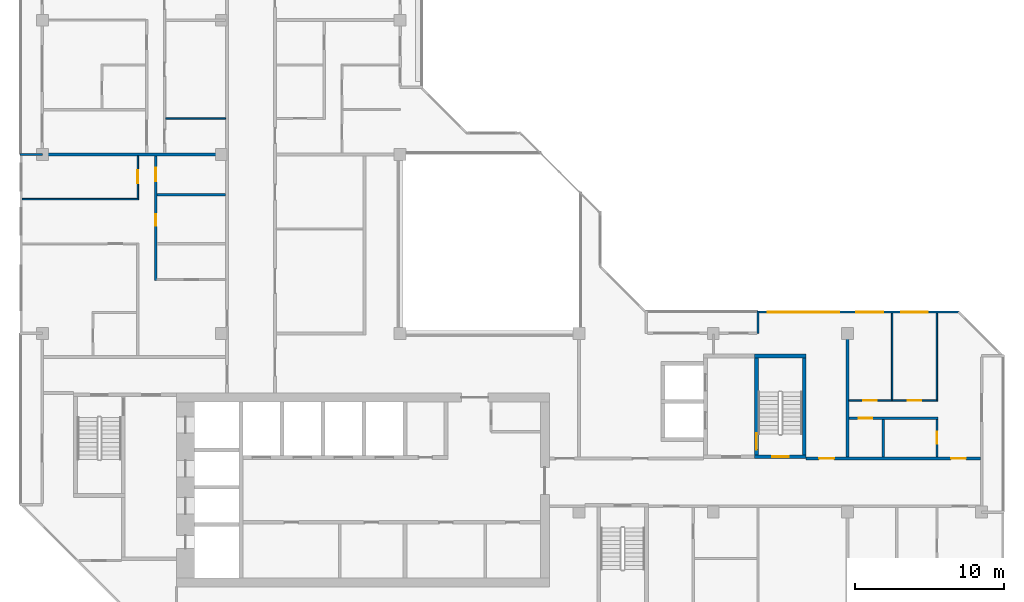
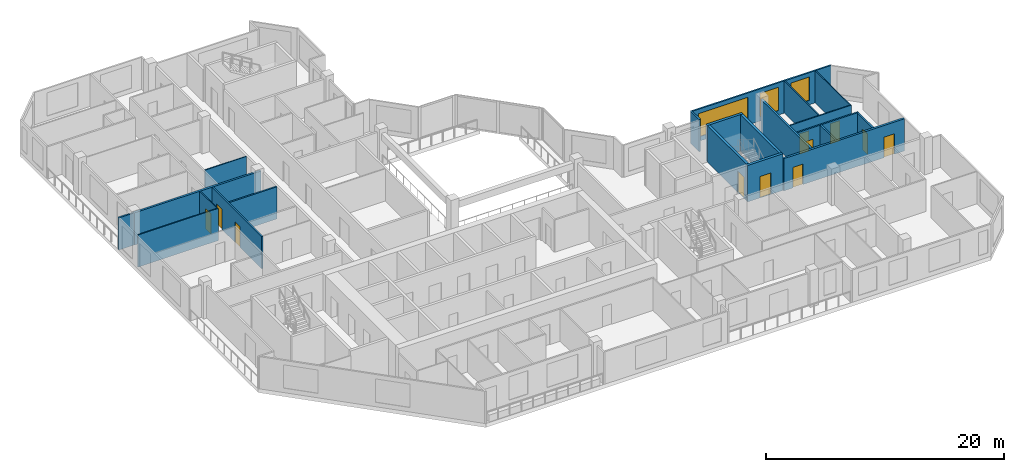
# One storey, part 8 of 13: 21 walls, 11 doors, 3 windows, 14 openings.
"""IFC4 building model written with IfcOpenShell, lengths in metres."""

from ifc_helpers import new_model, si_unit, direction, frame, frame_2d, origin, place, context, subcontext, project, spatial, rectangle, extrude, material, layer, layer_set, type_object, element, fill, save


model = new_model("IFC4")

# Units and contexts
model_context = context("Model", 3, precision=1e-05, world=origin(), true_north=direction((0.0, 1.0)))
body_context = subcontext(model_context, "Body", "Model", "MODEL_VIEW")
ifc_project = project(units=[si_unit("LENGTHUNIT", "METRE"), si_unit("AREAUNIT", "SQUARE_METRE"), si_unit("VOLUMEUNIT", "CUBIC_METRE"), si_unit("PLANEANGLEUNIT", "RADIAN"), si_unit("MASSUNIT", "GRAM", prefix="KILO")], contexts=[model_context])

# Site, building, storey
site_placement = place(None, origin())
site = spatial("IfcSite", under=ifc_project, at=site_placement, CompositionType="ELEMENT")
building_placement = place(site_placement, origin())
building = spatial("IfcBuilding", under=site, at=building_placement, Name="Chenar Terraces", CompositionType="ELEMENT")
storey_placement = place(building_placement, frame((0.0, 0.0, 318.39990234375)))
storey = spatial("IfcBuildingStorey", under=building, at=storey_placement, Name="L75", CompositionType="ELEMENT", Elevation=318.39990234375)

# Wall, opening, door
ifc_material_1 = material(Name="Concrete C50/60", Category="concrete")
ifc_layer_1 = layer(ifc_material_1, 0.25)
ifc_layer_set_1 = layer_set([ifc_layer_1], Name="Concrete C50/60")
wall_type_1 = type_object("IfcWallType", Name="Core wall 250 Concrete C50/60", PredefinedType="SHEAR", material=ifc_layer_set_1)
wall_1_placement = place(storey_placement, frame((47.77490234375, 15.72509765625, 0.0), z_axis=(0.0, 0.0, 1.0), x_axis=(1.0, 0.0, 0.0)))
wall_1 = element("IfcWall", 1, at=wall_1_placement, inside=storey, type_object=wall_type_1, Name="Core wall ST3_S L75", PredefinedType="SHEAR", context=body_context, shape_type="SweptSolid", body=[
    extrude(rectangle(XDim=3.4501953125, YDim=0.25, at=frame_2d((1.72509765625, 0.0))), origin(), (0.0, 0.0, 1.0), 3.75),
])
opening_1_placement = place(wall_1_placement, frame((1.175048828125, 0.0, 0.0)))
opening_1 = element("IfcOpeningElement", 2, at=opening_1_placement, cuts=wall_1, Name="Opening DL75-C8", PredefinedType="OPENING", context=body_context, shape_type="SweptSolid", body=[
    extrude(rectangle(XDim=1.10009765625, YDim=2.199951171875, at=frame_2d((0.550048828125, 1.10009765625))), frame((0.0, 0.135009765625, 0.0), z_axis=(0.0, -1.0, 0.0), x_axis=(1.0, 0.0, 0.0)), (0.0, 0.0, 1.0), 0.27001953125),
])
ifc_material_2 = material(Name="Steel-framed fire-resisting door leaf", Category="steel")
door_type_1 = type_object("IfcDoorType", Name="Stair fire door FD60 1100 x 2200", OperationType="SINGLE_SWING_LEFT", PredefinedType="DOOR", material=ifc_material_2)
door_1_placement = place(opening_1_placement, frame((1.10009765625, 0.0, 0.0), z_axis=(0.0, 0.0, 1.0), x_axis=(-1.0, 0.0, 0.0)))
door_1 = element("IfcDoor", 3, at=door_1_placement, inside=storey, type_object=door_type_1, Name="Stair door DL75-C8", OperationType="SINGLE_SWING_LEFT", OverallHeight=2.199951171875, OverallWidth=1.10009765625, PredefinedType="DOOR", context=body_context, shape_type="SweptSolid", body=[
    extrude(rectangle(XDim=1.10009765625, YDim=2.199951171875, at=frame_2d((0.550048828125, 1.10009765625))), frame((0.0, 0.02490234375, 0.0), z_axis=(0.0, -1.0, 0.0), x_axis=(1.0, 0.0, 0.0)), (0.0, 0.0, 1.0), 0.050048828125),
])
fill(opening_1, door_1)

# Wall
wall_2_placement = place(storey_placement, frame((47.77490234375, 22.47509765625, 0.0), z_axis=(0.0, 0.0, 1.0), x_axis=(1.0, 0.0, 0.0)))
element("IfcWall", 4, at=wall_2_placement, inside=storey, type_object=wall_type_1, Name="Core wall ST3_N L75", PredefinedType="SHEAR", context=body_context, shape_type="SweptSolid", body=[
    extrude(rectangle(XDim=3.4501953125, YDim=0.25, at=frame_2d((1.72509765625, 0.0))), origin(), (0.0, 0.0, 1.0), 3.75),
])

# Wall, opening, door
wall_3_placement = place(storey_placement, frame((47.89990234375, 15.85009765625, 0.0), z_axis=(0.0, 0.0, 1.0), x_axis=(0.0, 1.0, 0.0)))
wall_3 = element("IfcWall", 5, at=wall_3_placement, inside=storey, type_object=wall_type_1, Name="Core wall ST3_W L75", PredefinedType="SHEAR", context=body_context, shape_type="SweptSolid", body=[
    extrude(rectangle(XDim=6.5, YDim=0.25, at=frame_2d((3.25, 0.0))), origin(), (0.0, 0.0, 1.0), 3.75),
])
opening_2_placement = place(wall_3_placement, frame((0.35009765625, 0.0, 0.0)))
opening_2 = element("IfcOpeningElement", 6, at=opening_2_placement, cuts=wall_3, Name="Opening DL75-C11", PredefinedType="OPENING", context=body_context, shape_type="SweptSolid", body=[
    extrude(rectangle(XDim=1.10009765625, YDim=2.199951171875, at=frame_2d((0.550048828125, 1.10009765625))), frame((0.0, 0.135009765625, 0.0), z_axis=(0.0, -1.0, 0.0), x_axis=(1.0, 0.0, 0.0)), (0.0, 0.0, 1.0), 0.27001953125),
])
door_2_placement = place(opening_2_placement, frame((1.10009765625, 0.0, 0.0), z_axis=(0.0, 0.0, 1.0), x_axis=(-1.0, 0.0, 0.0)))
door_2 = element("IfcDoor", 7, at=door_2_placement, inside=storey, type_object=door_type_1, Name="Stair door DL75-C11", OperationType="SINGLE_SWING_RIGHT", OverallHeight=2.199951171875, OverallWidth=1.10009765625, PredefinedType="DOOR", context=body_context, shape_type="SweptSolid", body=[
    extrude(rectangle(XDim=1.10009765625, YDim=2.199951171875, at=frame_2d((0.550048828125, 1.10009765625))), frame((0.0, 0.02490234375, 0.0), z_axis=(0.0, -1.0, 0.0), x_axis=(1.0, 0.0, 0.0)), (0.0, 0.0, 1.0), 0.050048828125),
])
fill(opening_2, door_2)

# Wall
wall_4_placement = place(storey_placement, frame((51.10009765625, 15.85009765625, 0.0), z_axis=(0.0, 0.0, 1.0), x_axis=(0.0, 1.0, 0.0)))
element("IfcWall", 8, at=wall_4_placement, inside=storey, type_object=wall_type_1, Name="Core wall ST3_E L75", PredefinedType="SHEAR", context=body_context, shape_type="SweptSolid", body=[
    extrude(rectangle(XDim=6.5, YDim=0.25, at=frame_2d((3.25, 0.0))), origin(), (0.0, 0.0, 1.0), 3.75),
])

# Wall, openings, doors
ifc_material_3 = material(Name="Gypsum board on steel studs with fire boards", Category="steel")
ifc_layer_2 = layer(ifc_material_3, 0.199951171875)
ifc_layer_set_2 = layer_set([ifc_layer_2], Name="Gypsum board on steel studs with fire boards")
wall_type_2 = type_object("IfcWallType", Name="Corridor wall 200", PredefinedType="PARTITIONING", material=ifc_layer_set_2)
wall_5_placement = place(storey_placement, frame((51.22509765625, 15.60009765625, 0.0), z_axis=(0.0, 0.0, 1.0), x_axis=(1.0, 0.0, 0.0)))
wall_5 = element("IfcWall", 9, at=wall_5_placement, inside=storey, type_object=wall_type_2, Name="Partition L75-068", PredefinedType="PARTITIONING", context=body_context, shape_type="SweptSolid", body=[
    extrude(rectangle(XDim=11.700927734375, YDim=0.199951171875, at=frame_2d((5.8505859375, 0.0))), origin(), (0.0, 0.0, 1.0), 3.300048828125),
])
opening_3_placement = place(wall_5_placement, frame((9.72509765625, 0.0, 0.0)))
opening_3 = element("IfcOpeningElement", 10, at=opening_3_placement, cuts=wall_5, Name="Opening DL75-8", PredefinedType="OPENING", context=body_context, shape_type="SweptSolid", body=[
    extrude(rectangle(XDim=1.0, YDim=2.10009765625, at=frame_2d((0.5, 1.050048828125))), frame((0.0, 0.10986328125, 0.0), z_axis=(0.0, -1.0, 0.0), x_axis=(1.0, 0.0, 0.0)), (0.0, 0.0, 1.0), 0.219970703125),
])
opening_4_placement = place(wall_5_placement, frame((0.875, 0.0, 0.0)))
opening_4 = element("IfcOpeningElement", 11, at=opening_4_placement, cuts=wall_5, Name="Opening DL75-32", PredefinedType="OPENING", context=body_context, shape_type="SweptSolid", body=[
    extrude(rectangle(XDim=1.0, YDim=2.10009765625, at=frame_2d((0.5, 1.050048828125))), frame((0.0, 0.10986328125, 0.0), z_axis=(0.0, -1.0, 0.0), x_axis=(1.0, 0.0, 0.0)), (0.0, 0.0, 1.0), 0.219970703125),
])
ifc_material_4 = material(Name="Steel-framed fire-resisting door leaf", Category="steel")
door_type_2 = type_object("IfcDoorType", Name="Fire door FD30S 1000 x 2100", OperationType="SINGLE_SWING_LEFT", PredefinedType="DOOR", material=ifc_material_4)
door_3_placement = place(opening_3_placement, origin())
door_3 = element("IfcDoor", 12, at=door_3_placement, inside=storey, type_object=door_type_2, Name="Door DL75-8", OperationType="SINGLE_SWING_LEFT", OverallHeight=2.10009765625, OverallWidth=1.0, PredefinedType="DOOR", context=body_context, shape_type="SweptSolid", body=[
    extrude(rectangle(XDim=1.0, YDim=2.10009765625, at=frame_2d((0.5, 1.050048828125))), frame((0.0, 0.02490234375, 0.0), z_axis=(0.0, -1.0, 0.0), x_axis=(1.0, 0.0, 0.0)), (0.0, 0.0, 1.0), 0.050048828125),
])
fill(opening_3, door_3)
door_4_placement = place(opening_4_placement, origin())
door_4 = element("IfcDoor", 13, at=door_4_placement, inside=storey, type_object=door_type_2, Name="Door DL75-32", OperationType="SINGLE_SWING_RIGHT", OverallHeight=2.10009765625, OverallWidth=1.0, PredefinedType="DOOR", context=body_context, shape_type="SweptSolid", body=[
    extrude(rectangle(XDim=1.0, YDim=2.10009765625, at=frame_2d((0.5, 1.050048828125))), frame((0.0, 0.02490234375, 0.0), z_axis=(0.0, -1.0, 0.0), x_axis=(1.0, 0.0, 0.0)), (0.0, 0.0, 1.0), 0.050048828125),
])
fill(opening_4, door_4)

# Wall, openings, windows
ifc_material_5 = material(Name="Aluminium framed glazing", Category="aluminium")
ifc_layer_3 = layer(ifc_material_5, 0.14990234375)
ifc_layer_set_3 = layer_set([ifc_layer_3], Name="Aluminium framed glazing")
wall_type_3 = type_object("IfcWallType", Name="Glazed flush facade wall 150", PredefinedType="SOLIDWALL", material=ifc_layer_set_3)
wall_6_placement = place(storey_placement, frame((61.5, 25.425048828125, 0.0), z_axis=(0.0, 0.0, 1.0), x_axis=(-1.0, 0.0, 0.0)))
wall_6 = element("IfcWall", 14, at=wall_6_placement, inside=storey, type_object=wall_type_3, Name="Glazed flush facade wall", PredefinedType="SOLIDWALL", context=body_context, shape_type="SweptSolid", body=[
    extrude(rectangle(XDim=13.425048828125, YDim=0.14990234375, at=frame_2d((6.71240234375, 0.0))), origin(), (0.0, 0.0, 1.0), 3.300048828125),
])
opening_5_placement = place(wall_6_placement, frame((2.10009765625, 0.0, 0.449951171875)))
opening_5 = element("IfcOpeningElement", 15, at=opening_5_placement, cuts=wall_6, Name="Opening W180x240", PredefinedType="OPENING", context=body_context, shape_type="SweptSolid", body=[
    extrude(rectangle(XDim=1.800048828125, YDim=2.39990234375, at=frame_2d((0.89990234375, 1.199951171875))), frame((0.0, 0.0849609375, 0.0), z_axis=(0.0, -1.0, 0.0), x_axis=(1.0, 0.0, 0.0)), (0.0, 0.0, 1.0), 0.169921875),
])
opening_6_placement = place(wall_6_placement, frame((5.10009765625, 0.0, 0.449951171875)))
opening_6 = element("IfcOpeningElement", 16, at=opening_6_placement, cuts=wall_6, Name="Opening W180x240", PredefinedType="OPENING", context=body_context, shape_type="SweptSolid", body=[
    extrude(rectangle(XDim=1.800048828125, YDim=2.39990234375, at=frame_2d((0.89990234375, 1.199951171875))), frame((0.0, 0.0849609375, 0.0), z_axis=(0.0, -1.0, 0.0), x_axis=(1.0, 0.0, 0.0)), (0.0, 0.0, 1.0), 0.169921875),
])
opening_7_placement = place(wall_6_placement, frame((8.0625, 0.0, 0.449951171875)))
opening_7 = element("IfcOpeningElement", 17, at=opening_7_placement, cuts=wall_6, Name="Opening W480x240", PredefinedType="OPENING", context=body_context, shape_type="SweptSolid", body=[
    extrude(rectangle(XDim=4.800048828125, YDim=2.39990234375, at=frame_2d((2.39990234375, 1.199951171875))), frame((0.0, 0.0849609375, 0.0), z_axis=(0.0, -1.0, 0.0), x_axis=(1.0, 0.0, 0.0)), (0.0, 0.0, 1.0), 0.169921875),
])
ifc_material_6 = material(Name="Low emissivity double glazing, aluminium frame", Category="aluminium")
window_type_1 = type_object("IfcWindowType", Name="Fixed light 1800 x 2400", PartitioningType="SINGLE_PANEL", PredefinedType="WINDOW", material=ifc_material_6)
window_1_placement = place(opening_5_placement, origin())
window_1 = element("IfcWindow", 18, at=window_1_placement, inside=storey, type_object=window_type_1, Name="Window", OverallHeight=2.39990234375, OverallWidth=1.800048828125, PartitioningType="SINGLE_PANEL", PredefinedType="WINDOW", context=body_context, shape_type="SweptSolid", body=[
    extrude(rectangle(XDim=1.800048828125, YDim=2.39990234375, at=frame_2d((0.89990234375, 1.199951171875))), frame((0.0, 0.030029296875, 0.0), z_axis=(0.0, -1.0, 0.0), x_axis=(1.0, 0.0, 0.0)), (0.0, 0.0, 1.0), 0.06005859375),
])
fill(opening_5, window_1)
window_2_placement = place(opening_6_placement, origin())
window_2 = element("IfcWindow", 19, at=window_2_placement, inside=storey, type_object=window_type_1, Name="Window", OverallHeight=2.39990234375, OverallWidth=1.800048828125, PartitioningType="SINGLE_PANEL", PredefinedType="WINDOW", context=body_context, shape_type="SweptSolid", body=[
    extrude(rectangle(XDim=1.800048828125, YDim=2.39990234375, at=frame_2d((0.89990234375, 1.199951171875))), frame((0.0, 0.030029296875, 0.0), z_axis=(0.0, -1.0, 0.0), x_axis=(1.0, 0.0, 0.0)), (0.0, 0.0, 1.0), 0.06005859375),
])
fill(opening_6, window_2)
ifc_material_7 = material(Name="Low emissivity double glazing, aluminium frame", Category="aluminium")
window_type_2 = type_object("IfcWindowType", Name="Fixed light 4800 x 2400", PartitioningType="SINGLE_PANEL", PredefinedType="WINDOW", material=ifc_material_7)
window_3_placement = place(opening_7_placement, origin())
window_3 = element("IfcWindow", 20, at=window_3_placement, inside=storey, type_object=window_type_2, Name="Window", OverallHeight=2.39990234375, OverallWidth=4.800048828125, PartitioningType="SINGLE_PANEL", PredefinedType="WINDOW", context=body_context, shape_type="SweptSolid", body=[
    extrude(rectangle(XDim=4.800048828125, YDim=2.39990234375, at=frame_2d((2.39990234375, 1.199951171875))), frame((0.0, 0.030029296875, 0.0), z_axis=(0.0, -1.0, 0.0), x_axis=(1.0, 0.0, 0.0)), (0.0, 0.0, 1.0), 0.06005859375),
])
fill(opening_7, window_3)

# Wall
ifc_material_8 = material(Name="Gypsum board on steel studs", Category="steel")
ifc_layer_4 = layer(ifc_material_8, 0.10009765625)
ifc_layer_set_4 = layer_set([ifc_layer_4], Name="Gypsum board on steel studs")
wall_type_4 = type_object("IfcWallType", Name="Gypsum partition 100", PredefinedType="PARTITIONING", material=ifc_layer_set_4)
wall_7_placement = place(storey_placement, frame((-1.35009765625, 33.0, 0.0), z_axis=(0.0, 0.0, 1.0), x_axis=(1.0, 0.0, 0.0)))
element("IfcWall", 21, at=wall_7_placement, inside=storey, type_object=wall_type_4, Name="Partition L75-003", PredefinedType="PARTITIONING", context=body_context, shape_type="SweptSolid", body=[
    extrude(rectangle(XDim=7.800048828125, YDim=0.10009765625, at=frame_2d((3.89990234375, 0.0))), origin(), (0.0, 0.0, 1.0), 3.300048828125),
])

# Wall, opening, door
wall_8_placement = place(storey_placement, frame((6.39990234375, 33.050048828125, 0.0), z_axis=(0.0, 0.0, 1.0), x_axis=(0.0, 1.0, 0.0)))
wall_8 = element("IfcWall", 22, at=wall_8_placement, inside=storey, type_object=wall_type_4, Name="Partition L75-018", PredefinedType="PARTITIONING", context=body_context, shape_type="SweptSolid", body=[
    extrude(rectangle(XDim=2.849853515625, YDim=0.10009765625, at=frame_2d((1.4248046875, 0.0))), origin(), (0.0, 0.0, 1.0), 3.300048828125),
])
opening_8_placement = place(wall_8_placement, frame((1.0, 0.0, 0.0)))
opening_8 = element("IfcOpeningElement", 23, at=opening_8_placement, cuts=wall_8, Name="Opening DL75-51", PredefinedType="OPENING", context=body_context, shape_type="SweptSolid", body=[
    extrude(rectangle(XDim=0.89990234375, YDim=2.10009765625, at=frame_2d((0.449951171875, 1.050048828125))), frame((0.0, 0.06005859375, 0.0), z_axis=(0.0, -1.0, 0.0), x_axis=(1.0, 0.0, 0.0)), (0.0, 0.0, 1.0), 0.1201171875),
])
ifc_material_9 = material(Name="Veneered timber door leaf", Category="wood")
door_type_3 = type_object("IfcDoorType", Name="Door 900 x 2100", OperationType="SINGLE_SWING_LEFT", PredefinedType="DOOR", material=ifc_material_9)
door_5_placement = place(opening_8_placement, origin())
door_5 = element("IfcDoor", 24, at=door_5_placement, inside=storey, type_object=door_type_3, Name="Door DL75-51", OperationType="SINGLE_SWING_RIGHT", OverallHeight=2.10009765625, OverallWidth=0.89990234375, PredefinedType="DOOR", context=body_context, shape_type="SweptSolid", body=[
    extrude(rectangle(XDim=0.89990234375, YDim=2.10009765625, at=frame_2d((0.449951171875, 1.050048828125))), frame((0.0, 0.02490234375, 0.0), z_axis=(0.0, -1.0, 0.0), x_axis=(1.0, 0.0, 0.0)), (0.0, 0.0, 1.0), 0.050048828125),
])
fill(opening_8, door_5)

# Wall
wall_9_placement = place(storey_placement, frame((8.27490234375, 38.39990234375, 0.0), z_axis=(0.0, 0.0, 1.0), x_axis=(1.0, 0.0, 0.0)))
element("IfcWall", 25, at=wall_9_placement, inside=storey, type_object=wall_type_4, Name="Partition L75-026", PredefinedType="PARTITIONING", context=body_context, shape_type="SweptSolid", body=[
    extrude(rectangle(XDim=4.025146484375, YDim=0.10009765625, at=frame_2d((2.0126953125, 0.0))), origin(), (0.0, 0.0, 1.0), 3.300048828125),
])

# Wall, openings, doors
wall_10_placement = place(storey_placement, frame((54.10009765625, 19.5, 0.0), z_axis=(0.0, 0.0, 1.0), x_axis=(1.0, 0.0, 0.0)))
wall_10 = element("IfcWall", 26, at=wall_10_placement, inside=storey, type_object=wall_type_4, Name="Partition L75-073", PredefinedType="PARTITIONING", context=body_context, shape_type="SweptSolid", body=[
    extrude(rectangle(XDim=5.949951171875, YDim=0.10009765625, at=frame_2d((2.97509765625, 0.0))), origin(), (0.0, 0.0, 1.0), 3.300048828125),
])
opening_9_placement = place(wall_10_placement, frame((0.949951171875, 0.0, 0.0)))
opening_9 = element("IfcOpeningElement", 27, at=opening_9_placement, cuts=wall_10, Name="Opening DL75-5", PredefinedType="OPENING", context=body_context, shape_type="SweptSolid", body=[
    extrude(rectangle(XDim=0.89990234375, YDim=2.10009765625, at=frame_2d((0.449951171875, 1.050048828125))), frame((0.0, 0.06005859375, 0.0), z_axis=(0.0, -1.0, 0.0), x_axis=(1.0, 0.0, 0.0)), (0.0, 0.0, 1.0), 0.1201171875),
])
opening_10_placement = place(wall_10_placement, frame((3.949951171875, 0.0, 0.0)))
opening_10 = element("IfcOpeningElement", 28, at=opening_10_placement, cuts=wall_10, Name="Opening DL75-6", PredefinedType="OPENING", context=body_context, shape_type="SweptSolid", body=[
    extrude(rectangle(XDim=0.89990234375, YDim=2.10009765625, at=frame_2d((0.449951171875, 1.050048828125))), frame((0.0, 0.06005859375, 0.0), z_axis=(0.0, -1.0, 0.0), x_axis=(1.0, 0.0, 0.0)), (0.0, 0.0, 1.0), 0.1201171875),
])
door_6_placement = place(opening_9_placement, origin())
door_6 = element("IfcDoor", 29, at=door_6_placement, inside=storey, type_object=door_type_3, Name="Door DL75-5", OperationType="SINGLE_SWING_RIGHT", OverallHeight=2.10009765625, OverallWidth=0.89990234375, PredefinedType="DOOR", context=body_context, shape_type="SweptSolid", body=[
    extrude(rectangle(XDim=0.89990234375, YDim=2.10009765625, at=frame_2d((0.449951171875, 1.050048828125))), frame((0.0, 0.02490234375, 0.0), z_axis=(0.0, -1.0, 0.0), x_axis=(1.0, 0.0, 0.0)), (0.0, 0.0, 1.0), 0.050048828125),
])
fill(opening_9, door_6)
door_7_placement = place(opening_10_placement, origin())
door_7 = element("IfcDoor", 30, at=door_7_placement, inside=storey, type_object=door_type_3, Name="Door DL75-6", OperationType="SINGLE_SWING_RIGHT", OverallHeight=2.10009765625, OverallWidth=0.89990234375, PredefinedType="DOOR", context=body_context, shape_type="SweptSolid", body=[
    extrude(rectangle(XDim=0.89990234375, YDim=2.10009765625, at=frame_2d((0.449951171875, 1.050048828125))), frame((0.0, 0.02490234375, 0.0), z_axis=(0.0, -1.0, 0.0), x_axis=(1.0, 0.0, 0.0)), (0.0, 0.0, 1.0), 0.050048828125),
])
fill(opening_10, door_7)

# Walls
wall_11_placement = place(storey_placement, frame((57.0, 19.550048828125, 0.0), z_axis=(0.0, 0.0, 1.0), x_axis=(0.0, 1.0, 0.0)))
element("IfcWall", 31, at=wall_11_placement, inside=storey, type_object=wall_type_4, Name="Partition L75-075", PredefinedType="PARTITIONING", context=body_context, shape_type="SweptSolid", body=[
    extrude(rectangle(XDim=5.801025390625, YDim=0.10009765625, at=frame_2d((2.900390625, 0.0))), origin(), (0.0, 0.0, 1.0), 3.300048828125),
])
wall_12_placement = place(storey_placement, frame((60.0, 19.550048828125, 0.0), z_axis=(0.0, 0.0, 1.0), x_axis=(0.0, 1.0, 0.0)))
element("IfcWall", 32, at=wall_12_placement, inside=storey, type_object=wall_type_4, Name="Partition L75-080", PredefinedType="PARTITIONING", context=body_context, shape_type="SweptSolid", body=[
    extrude(rectangle(XDim=5.800048828125, YDim=0.10009765625, at=frame_2d((2.89990234375, 0.0))), origin(), (0.0, 0.0, 1.0), 3.300048828125),
])
ifc_material_10 = material(Name="Terracotta cladding on insulated backing", Category="masonry")
ifc_layer_5 = layer(ifc_material_10, 0.14990234375)
ifc_layer_set_5 = layer_set([ifc_layer_5], Name="Terracotta cladding on insulated backing")
wall_type_5 = type_object("IfcWallType", Name="Loggia return wall 150", PredefinedType="SOLIDWALL", material=ifc_layer_set_5)
for number, where, z_axis, x_axis, name in (
    (33, (48.0, 25.5, 0.0), (0.0, 0.0, 1.0), (0.0, -1.0, 0.0), "Loggia return wall"),
    (34, (-1.5, 36.0, 0.0), (0.0, 0.0, 1.0), (1.0, 0.0, 0.0), "Loggia return wall"),
):
    element("IfcWall", number, at=place(storey_placement, frame(where, z_axis=z_axis, x_axis=x_axis)), inside=storey, type_object=wall_type_5, Name=name, PredefinedType="SOLIDWALL", context=body_context, shape_type="SweptSolid", body=[
        extrude(rectangle(XDim=1.5, YDim=0.14990234375, at=frame_2d((0.75, 0.0))), origin(), (0.0, 0.0, 1.0), 3.300048828125),
    ])
ifc_material_11 = material(Name="Twin gypsum board on steel studs with mineral wool", Category="steel")
ifc_layer_6 = layer(ifc_material_11, 0.199951171875)
ifc_layer_set_6 = layer_set([ifc_layer_6], Name="Twin gypsum board on steel studs with mineral wool")
wall_type_6 = type_object("IfcWallType", Name="Unit demising wall 200", PredefinedType="PARTITIONING", material=ifc_layer_set_6)
wall_13_placement = place(storey_placement, frame((0.0, 36.0, 0.0), z_axis=(0.0, 0.0, 1.0), x_axis=(1.0, 0.0, 0.0)))
element("IfcWall", 35, at=wall_13_placement, inside=storey, type_object=wall_type_6, Name="Partition L75-004", PredefinedType="PARTITIONING", context=body_context, shape_type="SweptSolid", body=[
    extrude(rectangle(XDim=12.300048828125, YDim=0.199951171875, at=frame_2d((6.14990234375, 0.0))), origin(), (0.0, 0.0, 1.0), 3.300048828125),
])
wall_14_placement = place(storey_placement, frame((54.0, 15.699951171875, 0.0), z_axis=(0.0, 0.0, 1.0), x_axis=(0.0, 1.0, 0.0)))
element("IfcWall", 36, at=wall_14_placement, inside=storey, type_object=wall_type_6, Name="Partition L75-070", PredefinedType="PARTITIONING", context=body_context, shape_type="SweptSolid", body=[
    extrude(rectangle(XDim=8.300048828125, YDim=0.199951171875, at=frame_2d((4.14990234375, 0.0))), origin(), (0.0, 0.0, 1.0), 3.300048828125),
])

# Wall, openings, doors
ifc_material_12 = material(Name="Moisture-resistant gypsum board on steel studs", Category="steel")
ifc_layer_7 = layer(ifc_material_12, 0.14990234375)
ifc_layer_set_7 = layer_set([ifc_layer_7], Name="Moisture-resistant gypsum board on steel studs")
wall_type_7 = type_object("IfcWallType", Name="Wet-room partition 150", PredefinedType="PARTITIONING", material=ifc_layer_set_7)
wall_15_placement = place(storey_placement, frame((7.60009765625, 27.550048828125, 0.0), z_axis=(0.0, 0.0, 1.0), x_axis=(0.0, 1.0, 0.0)))
wall_15 = element("IfcWall", 37, at=wall_15_placement, inside=storey, type_object=wall_type_7, Name="Partition L75-021", PredefinedType="PARTITIONING", context=body_context, shape_type="SweptSolid", body=[
    extrude(rectangle(XDim=8.349853515625, YDim=0.14990234375, at=frame_2d((4.1748046875, 0.0))), origin(), (0.0, 0.0, 1.0), 3.300048828125),
])
opening_11_placement = place(wall_15_placement, frame((3.64990234375, 0.0, 0.0)))
opening_11 = element("IfcOpeningElement", 38, at=opening_11_placement, cuts=wall_15, Name="Opening DL75-50", PredefinedType="OPENING", context=body_context, shape_type="SweptSolid", body=[
    extrude(rectangle(XDim=0.800048828125, YDim=2.10009765625, at=frame_2d((0.39990234375, 1.050048828125))), frame((0.0, 0.0849609375, 0.0), z_axis=(0.0, -1.0, 0.0), x_axis=(1.0, 0.0, 0.0)), (0.0, 0.0, 1.0), 0.169921875),
])
opening_12_placement = place(wall_15_placement, frame((6.64990234375, 0.0, 0.0)))
opening_12 = element("IfcOpeningElement", 39, at=opening_12_placement, cuts=wall_15, Name="Opening DL75-56", PredefinedType="OPENING", context=body_context, shape_type="SweptSolid", body=[
    extrude(rectangle(XDim=0.89990234375, YDim=2.10009765625, at=frame_2d((0.449951171875, 1.050048828125))), frame((0.0, 0.0849609375, 0.0), z_axis=(0.0, -1.0, 0.0), x_axis=(1.0, 0.0, 0.0)), (0.0, 0.0, 1.0), 0.169921875),
])
ifc_material_13 = material(Name="Veneered timber door leaf", Category="wood")
door_type_4 = type_object("IfcDoorType", Name="Door 800 x 2100", OperationType="SINGLE_SWING_LEFT", PredefinedType="DOOR", material=ifc_material_13)
door_8_placement = place(opening_11_placement, frame((0.800048828125, 0.0, 0.0), z_axis=(0.0, 0.0, 1.0), x_axis=(-1.0, 0.0, 0.0)))
door_8 = element("IfcDoor", 40, at=door_8_placement, inside=storey, type_object=door_type_4, Name="Door DL75-50", OperationType="SINGLE_SWING_RIGHT", OverallHeight=2.10009765625, OverallWidth=0.800048828125, PredefinedType="DOOR", context=body_context, shape_type="SweptSolid", body=[
    extrude(rectangle(XDim=0.800048828125, YDim=2.10009765625, at=frame_2d((0.39990234375, 1.050048828125))), frame((0.0, 0.02490234375, 0.0), z_axis=(0.0, -1.0, 0.0), x_axis=(1.0, 0.0, 0.0)), (0.0, 0.0, 1.0), 0.050048828125),
])
fill(opening_11, door_8)
door_9_placement = place(opening_12_placement, frame((0.89990234375, 0.0, 0.0), z_axis=(0.0, 0.0, 1.0), x_axis=(-1.0, 0.0, 0.0)))
door_9 = element("IfcDoor", 41, at=door_9_placement, inside=storey, type_object=door_type_3, Name="Door DL75-56", OperationType="SINGLE_SWING_LEFT", OverallHeight=2.10009765625, OverallWidth=0.89990234375, PredefinedType="DOOR", context=body_context, shape_type="SweptSolid", body=[
    extrude(rectangle(XDim=0.89990234375, YDim=2.10009765625, at=frame_2d((0.449951171875, 1.050048828125))), frame((0.0, 0.02490234375, 0.0), z_axis=(0.0, -1.0, 0.0), x_axis=(1.0, 0.0, 0.0)), (0.0, 0.0, 1.0), 0.050048828125),
])
fill(opening_12, door_9)

# Wall
wall_16_placement = place(storey_placement, frame((7.675048828125, 33.300048828125, 0.0), z_axis=(0.0, 0.0, 1.0), x_axis=(1.0, 0.0, 0.0)))
element("IfcWall", 42, at=wall_16_placement, inside=storey, type_object=wall_type_7, Name="Partition L75-024", PredefinedType="PARTITIONING", context=body_context, shape_type="SweptSolid", body=[
    extrude(rectangle(XDim=4.625, YDim=0.14990234375, at=frame_2d((2.3125, 0.0))), origin(), (0.0, 0.0, 1.0), 3.300048828125),
])

# Wall, opening, door
wall_17_placement = place(storey_placement, frame((54.10009765625, 18.300048828125, 0.0), z_axis=(0.0, 0.0, 1.0), x_axis=(1.0, 0.0, 0.0)))
wall_17 = element("IfcWall", 43, at=wall_17_placement, inside=storey, type_object=wall_type_7, Name="Partition L75-072", PredefinedType="PARTITIONING", context=body_context, shape_type="SweptSolid", body=[
    extrude(rectangle(XDim=5.974853515625, YDim=0.14990234375, at=frame_2d((2.9873046875, 0.0))), origin(), (0.0, 0.0, 1.0), 3.300048828125),
])
opening_13_placement = place(wall_17_placement, frame((0.64990234375, 0.0, 0.0)))
opening_13 = element("IfcOpeningElement", 44, at=opening_13_placement, cuts=wall_17, Name="Opening DL75-7", PredefinedType="OPENING", context=body_context, shape_type="SweptSolid", body=[
    extrude(rectangle(XDim=0.89990234375, YDim=2.10009765625, at=frame_2d((0.449951171875, 1.050048828125))), frame((0.0, 0.0849609375, 0.0), z_axis=(0.0, -1.0, 0.0), x_axis=(1.0, 0.0, 0.0)), (0.0, 0.0, 1.0), 0.169921875),
])
door_10_placement = place(opening_13_placement, frame((0.89990234375, 0.0, 0.0), z_axis=(0.0, 0.0, 1.0), x_axis=(-1.0, 0.0, 0.0)))
door_10 = element("IfcDoor", 45, at=door_10_placement, inside=storey, type_object=door_type_3, Name="Door DL75-7", OperationType="SINGLE_SWING_LEFT", OverallHeight=2.10009765625, OverallWidth=0.89990234375, PredefinedType="DOOR", context=body_context, shape_type="SweptSolid", body=[
    extrude(rectangle(XDim=0.89990234375, YDim=2.10009765625, at=frame_2d((0.449951171875, 1.050048828125))), frame((0.0, 0.02490234375, 0.0), z_axis=(0.0, -1.0, 0.0), x_axis=(1.0, 0.0, 0.0)), (0.0, 0.0, 1.0), 0.050048828125),
])
fill(opening_13, door_10)

# Wall
wall_18_placement = place(storey_placement, frame((56.39990234375, 15.699951171875, 0.0), z_axis=(0.0, 0.0, 1.0), x_axis=(0.0, 1.0, 0.0)))
element("IfcWall", 46, at=wall_18_placement, inside=storey, type_object=wall_type_7, Name="Partition L75-074", PredefinedType="PARTITIONING", context=body_context, shape_type="SweptSolid", body=[
    extrude(rectangle(XDim=2.525146484375, YDim=0.14990234375, at=frame_2d((1.2626953125, 0.0))), origin(), (0.0, 0.0, 1.0), 3.300048828125),
])

# Wall, opening, door
wall_19_placement = place(storey_placement, frame((60.0, 15.699951171875, 0.0), z_axis=(0.0, 0.0, 1.0), x_axis=(0.0, 1.0, 0.0)))
wall_19 = element("IfcWall", 47, at=wall_19_placement, inside=storey, type_object=wall_type_7, Name="Partition L75-079", PredefinedType="PARTITIONING", context=body_context, shape_type="SweptSolid", body=[
    extrude(rectangle(XDim=2.525146484375, YDim=0.14990234375, at=frame_2d((1.2626953125, 0.0))), origin(), (0.0, 0.0, 1.0), 3.300048828125),
])
opening_14_placement = place(wall_19_placement, frame((0.89990234375, 0.0, 0.0)))
opening_14 = element("IfcOpeningElement", 48, at=opening_14_placement, cuts=wall_19, Name="Opening DL75-4", PredefinedType="OPENING", context=body_context, shape_type="SweptSolid", body=[
    extrude(rectangle(XDim=0.800048828125, YDim=2.10009765625, at=frame_2d((0.39990234375, 1.050048828125))), frame((0.0, 0.0849609375, 0.0), z_axis=(0.0, -1.0, 0.0), x_axis=(1.0, 0.0, 0.0)), (0.0, 0.0, 1.0), 0.169921875),
])
door_11_placement = place(opening_14_placement, origin())
door_11 = element("IfcDoor", 49, at=door_11_placement, inside=storey, type_object=door_type_4, Name="Door DL75-4", OperationType="SINGLE_SWING_RIGHT", OverallHeight=2.10009765625, OverallWidth=0.800048828125, PredefinedType="DOOR", context=body_context, shape_type="SweptSolid", body=[
    extrude(rectangle(XDim=0.800048828125, YDim=2.10009765625, at=frame_2d((0.39990234375, 1.050048828125))), frame((0.0, 0.02490234375, 0.0), z_axis=(0.0, -1.0, 0.0), x_axis=(1.0, 0.0, 0.0)), (0.0, 0.0, 1.0), 0.050048828125),
])
fill(opening_14, door_11)

save(model, "model.ifc")
